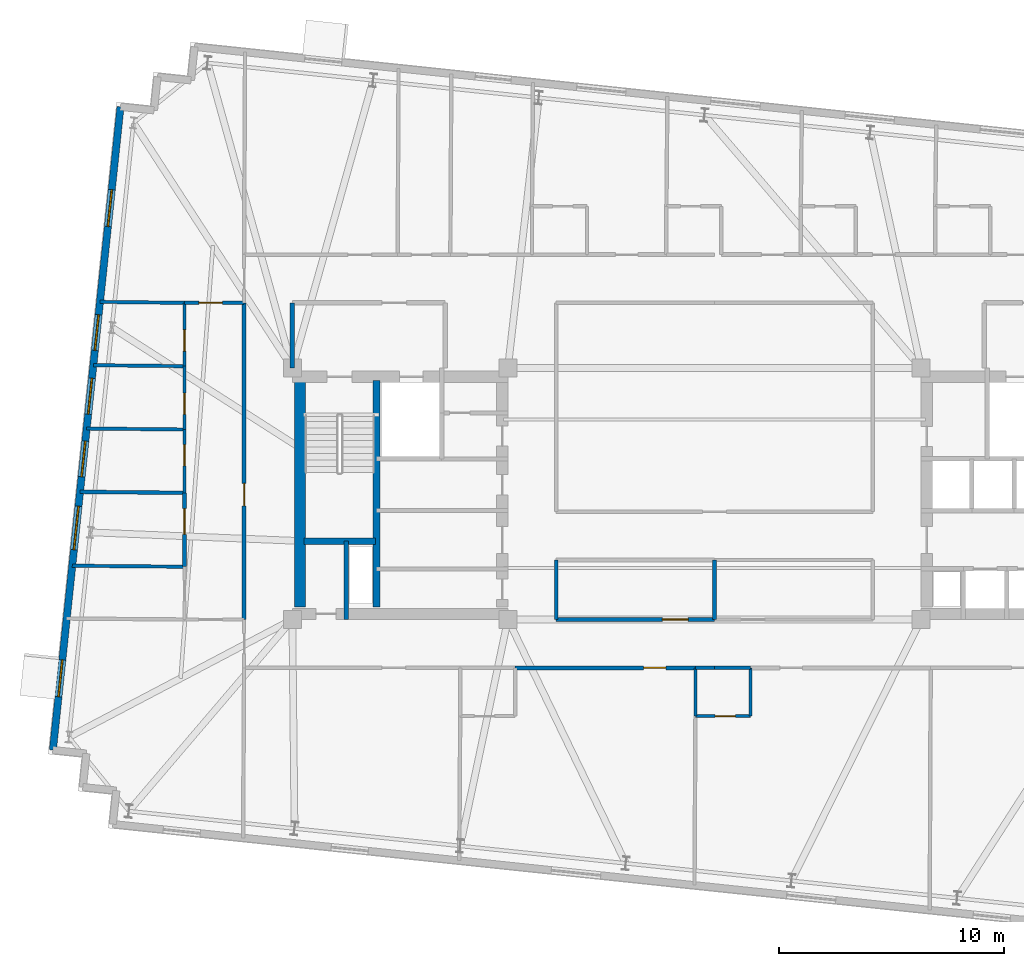
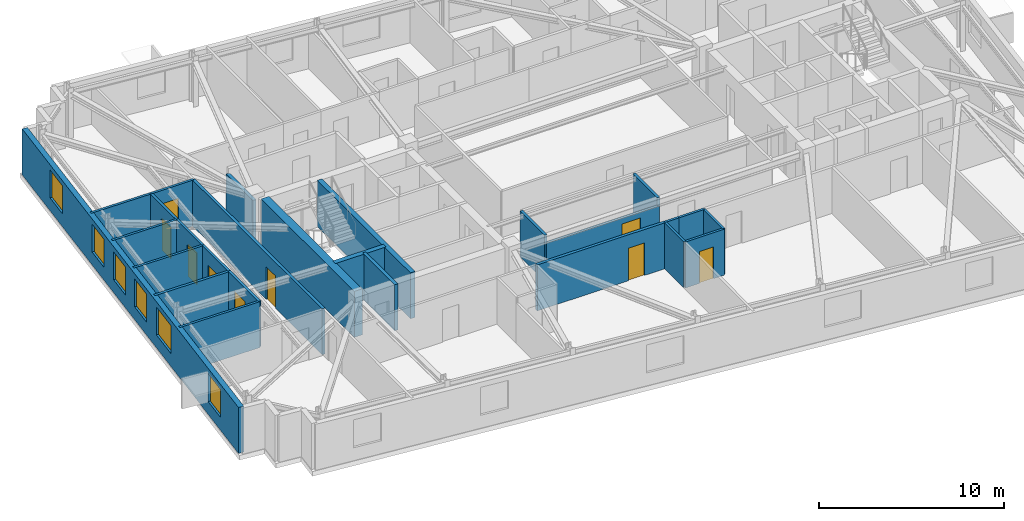
# One storey, part 6 of 12: 26 walls, 9 doors, 6 windows, 15 openings.
"""IFC4 building model written with IfcOpenShell, lengths in metres."""

from ifc_helpers import new_model, si_unit, direction, frame, frame_2d, origin, place, context, subcontext, project, spatial, rectangle, extrude, material, layer, layer_set, type_object, element, fill, save


model = new_model("IFC4")

# Units and contexts
model_context = context("Model", 3, precision=1e-05, world=origin(), true_north=direction((0.0, 1.0)))
body_context = subcontext(model_context, "Body", "Model", "MODEL_VIEW")
ifc_project = project(units=[si_unit("LENGTHUNIT", "METRE"), si_unit("AREAUNIT", "SQUARE_METRE"), si_unit("VOLUMEUNIT", "CUBIC_METRE"), si_unit("PLANEANGLEUNIT", "RADIAN"), si_unit("MASSUNIT", "GRAM", prefix="KILO")], contexts=[model_context])

# Site, building, storey
site_placement = place(None, origin())
site = spatial("IfcSite", under=ifc_project, at=site_placement, CompositionType="ELEMENT")
building_placement = place(site_placement, origin())
building = spatial("IfcBuilding", under=site, at=building_placement, Name="Qobustan Lattice House", CompositionType="ELEMENT")
storey_placement = place(building_placement, frame((0.0, 0.0, 189.699951171875)))
storey = spatial("IfcBuildingStorey", under=building, at=storey_placement, Name="L53", CompositionType="ELEMENT", Elevation=189.699951171875)

# Walls
ifc_material_1 = material(Name="Concrete C50/60", Category="concrete")
ifc_layer_1 = layer(ifc_material_1, 0.5)
ifc_layer_set_1 = layer_set([ifc_layer_1], Name="Concrete C50/60")
wall_type_1 = type_object("IfcWallType", Name="WAL-CORE-500", PredefinedType="SHEAR", material=ifc_layer_set_1)
wall_1_placement = place(storey_placement, frame((-18.4599609375, -5.050048828125, 0.0), z_axis=(0.0, 0.0, 1.0), x_axis=(0.0, 1.0, 0.0)))
element("IfcWall", 1, at=wall_1_placement, inside=storey, type_object=wall_type_1, Name="L53 split-core shear wall CW-W", PredefinedType="SHEAR", context=body_context, shape_type="SweptSolid", body=[
    extrude(rectangle(XDim=10.10009765625, YDim=0.5, at=frame_2d((5.050048828125, 0.0))), origin(), (0.0, 0.0, 1.0), 3.0400390625),
])
ifc_material_2 = material(Name="Concrete C50/60", Category="concrete")
ifc_layer_2 = layer(ifc_material_2, 0.280029296875)
ifc_layer_set_2 = layer_set([ifc_layer_2], Name="Concrete C50/60")
wall_type_2 = type_object("IfcWallType", Name="WAL-CORE-SPINE-280", PredefinedType="SHEAR", material=ifc_layer_set_2)
wall_2_placement = place(storey_placement, frame((-15.050048828125, -5.050048828125, 0.0), z_axis=(0.0, 0.0, 1.0), x_axis=(0.0, 1.0, 0.0)))
element("IfcWall", 2, at=wall_2_placement, inside=storey, type_object=wall_type_2, Name="L53 split-core shear wall CW-M", PredefinedType="SHEAR", context=body_context, shape_type="SweptSolid", body=[
    extrude(rectangle(XDim=10.10009765625, YDim=0.300048828125, at=frame_2d((5.050048828125, 0.0))), origin(), (0.0, 0.0, 1.0), 3.0400390625),
])
wall_3_placement = place(storey_placement, frame((-18.280029296875, -2.110107421875, 0.0), z_axis=(0.0, 0.0, 1.0), x_axis=(1.0, 0.0, 0.0)))
element("IfcWall", 3, at=wall_3_placement, inside=storey, type_object=wall_type_2, Name="L53 split-core shear wall CW-ST", PredefinedType="SHEAR", context=body_context, shape_type="SweptSolid", body=[
    extrude(rectangle(XDim=3.179931640625, YDim=0.300048828125, at=frame_2d((1.58984375, 0.0))), origin(), (0.0, 0.0, 1.0), 3.0400390625),
])

# Wall, openings, windows
ifc_material_3 = material(Name="Precast concrete C40/50", Category="concrete")
ifc_layer_3 = layer(ifc_material_3, 0.320068359375)
ifc_layer_set_3 = layer_set([ifc_layer_3], Name="Precast concrete C40/50")
wall_type_3 = type_object("IfcWallType", Name="WAL-EXT-STONE-320", PredefinedType="SOLIDWALL", material=ifc_layer_set_3)
wall_4_placement = place(storey_placement, frame((-29.46337890625, -11.413818359375, 0.0), z_axis=(0.0, 0.0, 1.0), x_axis=(0.104530779244, 0.994521651947, 0.0)))
wall_4 = element("IfcWall", 4, at=wall_4_placement, inside=storey, type_object=wall_type_3, Name="L53 exterior limestone-clad wall 5", PredefinedType="SOLIDWALL", context=body_context, shape_type="SweptSolid", body=[
    extrude(rectangle(XDim=28.800048828125, YDim=0.320068359375, at=frame_2d((14.39990234375, 0.0))), origin(), (0.0, 0.0, 1.0), 3.0400390625),
])
opening_1_placement = place(wall_4_placement, frame((2.3837890625, 0.0, 0.85009765625)))
opening_1 = element("IfcOpeningElement", 5, at=opening_1_placement, cuts=wall_4, Name="Opening WN-09", PredefinedType="OPENING", context=body_context, shape_type="SweptSolid", body=[
    extrude(rectangle(XDim=1.64990234375, YDim=1.85009765625, at=frame_2d((0.824951171875, 0.925048828125))), frame((0.0, 0.169921875, 0.0), z_axis=(0.0, -1.0, 0.0), x_axis=(1.0, 0.0, 0.0)), (0.0, 0.0, 1.0), 0.340087890625),
])
opening_2_placement = place(wall_4_placement, frame((8.97265625, 0.0, 0.85009765625)))
opening_2 = element("IfcOpeningElement", 6, at=opening_2_placement, cuts=wall_4, Name="Opening WN-08", PredefinedType="OPENING", context=body_context, shape_type="SweptSolid", body=[
    extrude(rectangle(XDim=1.949951171875, YDim=1.85009765625, at=frame_2d((0.97509765625, 0.925048828125))), frame((0.0, 0.169921875, 0.0), z_axis=(0.0, -1.0, 0.0), x_axis=(1.0, 0.0, 0.0)), (0.0, 0.0, 1.0), 0.340087890625),
])
opening_3_placement = place(wall_4_placement, frame((12.236083984375, 0.0, 0.85009765625)))
opening_3 = element("IfcOpeningElement", 7, at=opening_3_placement, cuts=wall_4, Name="Opening WN-13", PredefinedType="OPENING", context=body_context, shape_type="SweptSolid", body=[
    extrude(rectangle(XDim=1.60009765625, YDim=1.85009765625, at=frame_2d((0.800048828125, 0.925048828125))), frame((0.0, 0.169921875, 0.0), z_axis=(0.0, -1.0, 0.0), x_axis=(1.0, 0.0, 0.0)), (0.0, 0.0, 1.0), 0.340087890625),
])
opening_4_placement = place(wall_4_placement, frame((15.0439453125, 0.0, 0.85009765625)))
opening_4 = element("IfcOpeningElement", 8, at=opening_4_placement, cuts=wall_4, Name="Opening WN-13", PredefinedType="OPENING", context=body_context, shape_type="SweptSolid", body=[
    extrude(rectangle(XDim=1.60009765625, YDim=1.85009765625, at=frame_2d((0.800048828125, 0.925048828125))), frame((0.0, 0.169921875, 0.0), z_axis=(0.0, -1.0, 0.0), x_axis=(1.0, 0.0, 0.0)), (0.0, 0.0, 1.0), 0.340087890625),
])
opening_5_placement = place(wall_4_placement, frame((17.891845703125, 0.0, 0.85009765625)))
opening_5 = element("IfcOpeningElement", 9, at=opening_5_placement, cuts=wall_4, Name="Opening WN-13", PredefinedType="OPENING", context=body_context, shape_type="SweptSolid", body=[
    extrude(rectangle(XDim=1.60009765625, YDim=1.85009765625, at=frame_2d((0.800048828125, 0.925048828125))), frame((0.0, 0.169921875, 0.0), z_axis=(0.0, -1.0, 0.0), x_axis=(1.0, 0.0, 0.0)), (0.0, 0.0, 1.0), 0.340087890625),
])
opening_6_placement = place(wall_4_placement, frame((23.4423828125, 0.0, 0.85009765625)))
opening_6 = element("IfcOpeningElement", 10, at=opening_6_placement, cuts=wall_4, Name="Opening WN-09", PredefinedType="OPENING", context=body_context, shape_type="SweptSolid", body=[
    extrude(rectangle(XDim=1.64990234375, YDim=1.85009765625, at=frame_2d((0.824951171875, 0.925048828125))), frame((0.0, 0.169921875, 0.0), z_axis=(0.0, -1.0, 0.0), x_axis=(1.0, 0.0, 0.0)), (0.0, 0.0, 1.0), 0.340087890625),
])
ifc_material_4 = material(Name="Double-glazed low-E aluminium window", Category="aluminium")
window_type_1 = type_object("IfcWindowType", Name="WIN-BED-1600x1850", PartitioningType="SINGLE_PANEL", PredefinedType="WINDOW", material=ifc_material_4)
window_1_placement = place(opening_3_placement, origin())
window_1 = element("IfcWindow", 11, at=window_1_placement, inside=storey, type_object=window_type_1, Name="L53 Cluster bedroom L53W1 window", OverallHeight=1.85009765625, OverallWidth=1.60009765625, PartitioningType="SINGLE_PANEL", PredefinedType="WINDOW", context=body_context, shape_type="SweptSolid", body=[
    extrude(rectangle(XDim=1.60009765625, YDim=1.85009765625, at=frame_2d((0.800048828125, 0.925048828125))), frame((0.0, 0.030029296875, 0.0), z_axis=(0.0, -1.0, 0.0), x_axis=(1.0, 0.0, 0.0)), (0.0, 0.0, 1.0), 0.06005859375),
])
fill(opening_3, window_1)
window_2_placement = place(opening_4_placement, origin())
window_2 = element("IfcWindow", 12, at=window_2_placement, inside=storey, type_object=window_type_1, Name="L53 Cluster bedroom L53W2 window", OverallHeight=1.85009765625, OverallWidth=1.60009765625, PartitioningType="SINGLE_PANEL", PredefinedType="WINDOW", context=body_context, shape_type="SweptSolid", body=[
    extrude(rectangle(XDim=1.60009765625, YDim=1.85009765625, at=frame_2d((0.800048828125, 0.925048828125))), frame((0.0, 0.030029296875, 0.0), z_axis=(0.0, -1.0, 0.0), x_axis=(1.0, 0.0, 0.0)), (0.0, 0.0, 1.0), 0.06005859375),
])
fill(opening_4, window_2)
window_3_placement = place(opening_5_placement, origin())
window_3 = element("IfcWindow", 13, at=window_3_placement, inside=storey, type_object=window_type_1, Name="L53 Cluster bedroom L53W3 window", OverallHeight=1.85009765625, OverallWidth=1.60009765625, PartitioningType="SINGLE_PANEL", PredefinedType="WINDOW", context=body_context, shape_type="SweptSolid", body=[
    extrude(rectangle(XDim=1.60009765625, YDim=1.85009765625, at=frame_2d((0.800048828125, 0.925048828125))), frame((0.0, 0.030029296875, 0.0), z_axis=(0.0, -1.0, 0.0), x_axis=(1.0, 0.0, 0.0)), (0.0, 0.0, 1.0), 0.06005859375),
])
fill(opening_5, window_3)
ifc_material_5 = material(Name="Double-glazed low-E aluminium window", Category="aluminium")
window_type_2 = type_object("IfcWindowType", Name="WIN-KIT-1950x1850", PartitioningType="SINGLE_PANEL", PredefinedType="WINDOW", material=ifc_material_5)
window_4_placement = place(opening_2_placement, origin())
window_4 = element("IfcWindow", 14, at=window_4_placement, inside=storey, type_object=window_type_2, Name="L53 Shared kitchen L53W window", OverallHeight=1.85009765625, OverallWidth=1.949951171875, PartitioningType="SINGLE_PANEL", PredefinedType="WINDOW", context=body_context, shape_type="SweptSolid", body=[
    extrude(rectangle(XDim=1.949951171875, YDim=1.85009765625, at=frame_2d((0.97509765625, 0.925048828125))), frame((0.0, 0.030029296875, 0.0), z_axis=(0.0, -1.0, 0.0), x_axis=(1.0, 0.0, 0.0)), (0.0, 0.0, 1.0), 0.06005859375),
])
fill(opening_2, window_4)
ifc_material_6 = material(Name="Double-glazed low-E aluminium window", Category="aluminium")
window_type_3 = type_object("IfcWindowType", Name="WIN-STU-1650x1850", PartitioningType="SINGLE_PANEL", PredefinedType="WINDOW", material=ifc_material_6)
window_5_placement = place(opening_1_placement, origin())
window_5 = element("IfcWindow", 15, at=window_5_placement, inside=storey, type_object=window_type_3, Name="L53 Reading study room L53WS window", OverallHeight=1.85009765625, OverallWidth=1.64990234375, PartitioningType="SINGLE_PANEL", PredefinedType="WINDOW", context=body_context, shape_type="SweptSolid", body=[
    extrude(rectangle(XDim=1.64990234375, YDim=1.85009765625, at=frame_2d((0.824951171875, 0.925048828125))), frame((0.0, 0.030029296875, 0.0), z_axis=(0.0, -1.0, 0.0), x_axis=(1.0, 0.0, 0.0)), (0.0, 0.0, 1.0), 0.06005859375),
])
fill(opening_1, window_5)
window_6_placement = place(opening_6_placement, origin())
window_6 = element("IfcWindow", 16, at=window_6_placement, inside=storey, type_object=window_type_3, Name="L53 Reading study room L53WN window", OverallHeight=1.85009765625, OverallWidth=1.64990234375, PartitioningType="SINGLE_PANEL", PredefinedType="WINDOW", context=body_context, shape_type="SweptSolid", body=[
    extrude(rectangle(XDim=1.64990234375, YDim=1.85009765625, at=frame_2d((0.824951171875, 0.925048828125))), frame((0.0, 0.030029296875, 0.0), z_axis=(0.0, -1.0, 0.0), x_axis=(1.0, 0.0, 0.0)), (0.0, 0.0, 1.0), 0.06005859375),
])
fill(opening_6, window_6)

# Wall, opening, door
ifc_material_7 = material(Name="Gypsum fireboard acoustic partition", Category="gypsum")
ifc_layer_4 = layer(ifc_material_7, 0.179931640625)
ifc_layer_set_4 = layer_set([ifc_layer_4], Name="Gypsum fireboard acoustic partition")
wall_type_4 = type_object("IfcWallType", Name="WAL-FIRE-180", PredefinedType="PARTITIONING", material=ifc_layer_set_4)
wall_5_placement = place(storey_placement, frame((-0.85009765625, -7.75, 0.0), z_axis=(0.0, 0.0, 1.0), x_axis=(-1.0, 0.0, 0.0)))
wall_5 = element("IfcWall", 17, at=wall_5_placement, inside=storey, type_object=wall_type_4, Name="L53 interior partition 49", PredefinedType="PARTITIONING", context=body_context, shape_type="SweptSolid", body=[
    extrude(rectangle(XDim=8.02490234375, YDim=0.179931640625, at=frame_2d((4.012451171875, 0.0))), origin(), (0.0, 0.0, 1.0), 3.0400390625),
])
opening_7_placement = place(wall_5_placement, frame((1.31298828125, 0.0, 0.0)))
opening_7 = element("IfcOpeningElement", 18, at=opening_7_placement, cuts=wall_5, Name="Opening FD-02", PredefinedType="OPENING", context=body_context, shape_type="SweptSolid", body=[
    extrude(rectangle(XDim=1.0, YDim=2.14990234375, at=frame_2d((0.5, 1.074951171875))), frame((0.0, 0.099853515625, 0.0), z_axis=(0.0, -1.0, 0.0), x_axis=(1.0, 0.0, 0.0)), (0.0, 0.0, 1.0), 0.199951171875),
])
ifc_material_8 = material(Name="Persian walnut timber and steel frame door", Category="steel")
door_type_1 = type_object("IfcDoorType", Name="DOR-UNIT-FD-1000x2150", OperationType="NOTDEFINED", PredefinedType="DOOR", material=ifc_material_8)
door_1_placement = place(opening_7_placement, origin())
door_1 = element("IfcDoor", 19, at=door_1_placement, inside=storey, type_object=door_type_1, Name="L53 South-west floor corridor to Kitchenette and studio apartment L53-S2 door", OperationType="SINGLE_SWING_LEFT", OverallHeight=2.14990234375, OverallWidth=1.0, PredefinedType="DOOR", context=body_context, shape_type="SweptSolid", body=[
    extrude(rectangle(XDim=1.0, YDim=2.14990234375, at=frame_2d((0.5, 1.074951171875))), frame((0.0, 0.02490234375, 0.0), z_axis=(0.0, -1.0, 0.0), x_axis=(1.0, 0.0, 0.0)), (0.0, 0.0, 1.0), 0.050048828125),
])
fill(opening_7, door_1)

wall_6_placement = place(storey_placement, frame((-20.949951171875, -5.60009765625, 0.0), z_axis=(0.0, 0.0, 1.0), x_axis=(0.0, 1.0, 0.0)))
wall_6 = element("IfcWall", 20, at=wall_6_placement, inside=storey, type_object=wall_type_4, Name="L53 interior partition 58", PredefinedType="PARTITIONING", context=body_context, shape_type="SweptSolid", body=[
    extrude(rectangle(XDim=14.10009765625, YDim=0.179931640625, at=frame_2d((7.050048828125, 0.0))), origin(), (0.0, 0.0, 1.0), 3.0400390625),
])
opening_8_placement = place(wall_6_placement, frame((5.0576171875, 0.0, 0.0)))
opening_8 = element("IfcOpeningElement", 21, at=opening_8_placement, cuts=wall_6, Name="Opening FD-02", PredefinedType="OPENING", context=body_context, shape_type="SweptSolid", body=[
    extrude(rectangle(XDim=1.0, YDim=2.14990234375, at=frame_2d((0.5, 1.074951171875))), frame((0.0, 0.099853515625, 0.0), z_axis=(0.0, -1.0, 0.0), x_axis=(1.0, 0.0, 0.0)), (0.0, 0.0, 1.0), 0.199951171875),
])
door_2_placement = place(opening_8_placement, origin())
door_2 = element("IfcDoor", 22, at=door_2_placement, inside=storey, type_object=door_type_1, Name="L53 West wing spine gallery to Residence entrance hall L53W door", OperationType="SINGLE_SWING_LEFT", OverallHeight=2.14990234375, OverallWidth=1.0, PredefinedType="DOOR", context=body_context, shape_type="SweptSolid", body=[
    extrude(rectangle(XDim=1.0, YDim=2.14990234375, at=frame_2d((0.5, 1.074951171875))), frame((0.0, 0.02490234375, 0.0), z_axis=(0.0, -1.0, 0.0), x_axis=(1.0, 0.0, 0.0)), (0.0, 0.0, 1.0), 0.050048828125),
])
fill(opening_8, door_2)

ifc_material_9 = material(Name="Acoustic twin-stud gypsum partition", Category="gypsum")
ifc_layer_5 = layer(ifc_material_9, 0.14990234375)
ifc_layer_set_5 = layer_set([ifc_layer_5], Name="Acoustic twin-stud gypsum partition")
wall_type_5 = type_object("IfcWallType", Name="WAL-PART-150", PredefinedType="PARTITIONING", material=ifc_layer_set_5)
wall_7_placement = place(storey_placement, frame((-23.60009765625, 8.5, 0.0), z_axis=(0.0, 0.0, 1.0), x_axis=(1.0, 0.0, 0.0)))
wall_7 = element("IfcWall", 23, at=wall_7_placement, inside=storey, type_object=wall_type_5, Name="L53 interior partition 67", PredefinedType="PARTITIONING", context=body_context, shape_type="SweptSolid", body=[
    extrude(rectangle(XDim=2.650146484375, YDim=0.14990234375, at=frame_2d((1.3251953125, 0.0))), origin(), (0.0, 0.0, 1.0), 3.0400390625),
])
opening_9_placement = place(wall_7_placement, frame((0.635009765625, 0.0, 0.0)))
opening_9 = element("IfcOpeningElement", 24, at=opening_9_placement, cuts=wall_7, Name="Opening ID-02", PredefinedType="OPENING", context=body_context, shape_type="SweptSolid", body=[
    extrude(rectangle(XDim=1.050048828125, YDim=2.14990234375, at=frame_2d((0.52490234375, 1.074951171875))), frame((0.0, 0.0849609375, 0.0), z_axis=(0.0, -1.0, 0.0), x_axis=(1.0, 0.0, 0.0)), (0.0, 0.0, 1.0), 0.169921875),
])
ifc_material_10 = material(Name="Persian walnut timber and steel frame door", Category="steel")
door_type_2 = type_object("IfcDoorType", Name="DOR-STUDY-1050x2150", OperationType="NOTDEFINED", PredefinedType="DOOR", material=ifc_material_10)
door_3_placement = place(opening_9_placement, origin())
door_3 = element("IfcDoor", 25, at=door_3_placement, inside=storey, type_object=door_type_2, Name="L53 Residence entrance hall L53W to Reading study room L53WN door", OperationType="SINGLE_SWING_RIGHT", OverallHeight=2.14990234375, OverallWidth=1.050048828125, PredefinedType="DOOR", context=body_context, shape_type="SweptSolid", body=[
    extrude(rectangle(XDim=1.050048828125, YDim=2.14990234375, at=frame_2d((0.52490234375, 1.074951171875))), frame((0.0, 0.02490234375, 0.0), z_axis=(0.0, -1.0, 0.0), x_axis=(1.0, 0.0, 0.0)), (0.0, 0.0, 1.0), 0.050048828125),
])
fill(opening_9, door_3)

wall_8_placement = place(storey_placement, frame((-23.60009765625, 0.0400390625, 0.0), z_axis=(0.0, 0.0, 1.0), x_axis=(0.0, 1.0, 0.0)))
wall_8 = element("IfcWall", 26, at=wall_8_placement, inside=storey, type_object=wall_type_5, Name="L53 interior partition 71", PredefinedType="PARTITIONING", context=body_context, shape_type="SweptSolid", body=[
    extrude(rectangle(XDim=2.820068359375, YDim=0.14990234375, at=frame_2d((1.41015625, 0.0))), origin(), (0.0, 0.0, 1.0), 3.0400390625),
])
opening_10_placement = place(wall_8_placement, frame((1.201171875, 0.0, 0.0)))
opening_10 = element("IfcOpeningElement", 27, at=opening_10_placement, cuts=wall_8, Name="Opening ID-01", PredefinedType="OPENING", context=body_context, shape_type="SweptSolid", body=[
    extrude(rectangle(XDim=0.949951171875, YDim=2.10009765625, at=frame_2d((0.47509765625, 1.050048828125))), frame((0.0, 0.0849609375, 0.0), z_axis=(0.0, -1.0, 0.0), x_axis=(1.0, 0.0, 0.0)), (0.0, 0.0, 1.0), 0.169921875),
])
ifc_material_11 = material(Name="Persian walnut timber and steel frame door", Category="steel")
door_type_3 = type_object("IfcDoorType", Name="DOR-ROOM-950x2100", OperationType="NOTDEFINED", PredefinedType="DOOR", material=ifc_material_11)
door_4_placement = place(opening_10_placement, origin())
door_4 = element("IfcDoor", 28, at=door_4_placement, inside=storey, type_object=door_type_3, Name="L53 Residence entrance hall L53W to Cluster bedroom L53W1 door", OperationType="SINGLE_SWING_RIGHT", OverallHeight=2.10009765625, OverallWidth=0.949951171875, PredefinedType="DOOR", context=body_context, shape_type="SweptSolid", body=[
    extrude(rectangle(XDim=0.949951171875, YDim=2.10009765625, at=frame_2d((0.47509765625, 1.050048828125))), frame((0.0, 0.02490234375, 0.0), z_axis=(0.0, -1.0, 0.0), x_axis=(1.0, 0.0, 0.0)), (0.0, 0.0, 1.0), 0.050048828125),
])
fill(opening_10, door_4)

wall_9_placement = place(storey_placement, frame((-23.60009765625, 2.860107421875, 0.0), z_axis=(0.0, 0.0, 1.0), x_axis=(0.0, 1.0, 0.0)))
wall_9 = element("IfcWall", 29, at=wall_9_placement, inside=storey, type_object=wall_type_5, Name="L53 interior partition 72", PredefinedType="PARTITIONING", context=body_context, shape_type="SweptSolid", body=[
    extrude(rectangle(XDim=2.81982421875, YDim=0.14990234375, at=frame_2d((1.409912109375, 0.0))), origin(), (0.0, 0.0, 1.0), 3.0400390625),
])
opening_11_placement = place(wall_9_placement, frame((0.668701171875, 0.0, 0.0)))
opening_11 = element("IfcOpeningElement", 30, at=opening_11_placement, cuts=wall_9, Name="Opening ID-01", PredefinedType="OPENING", context=body_context, shape_type="SweptSolid", body=[
    extrude(rectangle(XDim=0.949951171875, YDim=2.10009765625, at=frame_2d((0.47509765625, 1.050048828125))), frame((0.0, 0.0849609375, 0.0), z_axis=(0.0, -1.0, 0.0), x_axis=(1.0, 0.0, 0.0)), (0.0, 0.0, 1.0), 0.169921875),
])
door_5_placement = place(opening_11_placement, origin())
door_5 = element("IfcDoor", 31, at=door_5_placement, inside=storey, type_object=door_type_3, Name="L53 Residence entrance hall L53W to Cluster bedroom L53W2 door", OperationType="SINGLE_SWING_LEFT", OverallHeight=2.10009765625, OverallWidth=0.949951171875, PredefinedType="DOOR", context=body_context, shape_type="SweptSolid", body=[
    extrude(rectangle(XDim=0.949951171875, YDim=2.10009765625, at=frame_2d((0.47509765625, 1.050048828125))), frame((0.0, 0.02490234375, 0.0), z_axis=(0.0, -1.0, 0.0), x_axis=(1.0, 0.0, 0.0)), (0.0, 0.0, 1.0), 0.050048828125),
])
fill(opening_11, door_5)

wall_10_placement = place(storey_placement, frame((-23.60009765625, 5.679931640625, 0.0), z_axis=(0.0, 0.0, 1.0), x_axis=(0.0, 1.0, 0.0)))
wall_10 = element("IfcWall", 32, at=wall_10_placement, inside=storey, type_object=wall_type_5, Name="L53 interior partition 73", PredefinedType="PARTITIONING", context=body_context, shape_type="SweptSolid", body=[
    extrude(rectangle(XDim=2.820068359375, YDim=0.14990234375, at=frame_2d((1.41015625, 0.0))), origin(), (0.0, 0.0, 1.0), 3.0400390625),
])
opening_12_placement = place(wall_10_placement, frame((0.668701171875, 0.0, 0.0)))
opening_12 = element("IfcOpeningElement", 33, at=opening_12_placement, cuts=wall_10, Name="Opening ID-01", PredefinedType="OPENING", context=body_context, shape_type="SweptSolid", body=[
    extrude(rectangle(XDim=0.949951171875, YDim=2.10009765625, at=frame_2d((0.47509765625, 1.050048828125))), frame((0.0, 0.0849609375, 0.0), z_axis=(0.0, -1.0, 0.0), x_axis=(1.0, 0.0, 0.0)), (0.0, 0.0, 1.0), 0.169921875),
])
door_6_placement = place(opening_12_placement, origin())
door_6 = element("IfcDoor", 34, at=door_6_placement, inside=storey, type_object=door_type_3, Name="L53 Residence entrance hall L53W to Cluster bedroom L53W3 door", OperationType="SINGLE_SWING_RIGHT", OverallHeight=2.10009765625, OverallWidth=0.949951171875, PredefinedType="DOOR", context=body_context, shape_type="SweptSolid", body=[
    extrude(rectangle(XDim=0.949951171875, YDim=2.10009765625, at=frame_2d((0.47509765625, 1.050048828125))), frame((0.0, 0.02490234375, 0.0), z_axis=(0.0, -1.0, 0.0), x_axis=(1.0, 0.0, 0.0)), (0.0, 0.0, 1.0), 0.050048828125),
])
fill(opening_12, door_6)

# Walls
wall_11_placement = place(storey_placement, frame((-23.60009765625, 8.5, 0.0), z_axis=(0.0, 0.0, 1.0), x_axis=(-0.999931911052, 0.011669329875, 0.0)))
element("IfcWall", 35, at=wall_11_placement, inside=storey, type_object=wall_type_5, Name="L53 interior partition 74", PredefinedType="PARTITIONING", context=body_context, shape_type="SweptSolid", body=[
    extrude(rectangle(XDim=3.765869140625, YDim=0.14990234375, at=frame_2d((1.8828125, 0.0))), origin(), (0.0, 0.0, 1.0), 3.0400390625),
])
wall_12_placement = place(storey_placement, frame((-27.95849609375, 2.90380859375, 0.0), z_axis=(0.0, 0.0, 1.0), x_axis=(0.999949734551, -0.010026383738, 0.0)))
element("IfcWall", 36, at=wall_12_placement, inside=storey, type_object=wall_type_5, Name="L53 interior partition 80", PredefinedType="PARTITIONING", context=body_context, shape_type="SweptSolid", body=[
    extrude(rectangle(XDim=4.358642578125, YDim=0.14990234375, at=frame_2d((2.17919921875, 0.0))), origin(), (0.0, 0.0, 1.0), 3.0400390625),
])
wall_13_placement = place(storey_placement, frame((-27.662109375, 5.723876953125, 0.0), z_axis=(0.0, 0.0, 1.0), x_axis=(0.999941483997, -0.010817974944, 0.0)))
element("IfcWall", 37, at=wall_13_placement, inside=storey, type_object=wall_type_5, Name="L53 interior partition 81", PredefinedType="PARTITIONING", context=body_context, shape_type="SweptSolid", body=[
    extrude(rectangle(XDim=4.062255859375, YDim=0.14990234375, at=frame_2d((2.03125, 0.0))), origin(), (0.0, 0.0, 1.0), 3.0400390625),
])

# Wall, opening, door
ifc_material_12 = material(Name="High-mass acoustic twin-stud partition", Category="gypsum")
ifc_layer_6 = layer(ifc_material_12, 0.1650390625)
ifc_layer_set_6 = layer_set([ifc_layer_6], Name="High-mass acoustic twin-stud partition")
wall_type_6 = type_object("IfcWallType", Name="WAL-PART-165", PredefinedType="PARTITIONING", material=ifc_layer_set_6)
wall_14_placement = place(storey_placement, frame((-7.050048828125, -5.60009765625, 0.0), z_axis=(0.0, 0.0, 1.0), x_axis=(1.0, 0.0, 0.0)))
wall_14 = element("IfcWall", 38, at=wall_14_placement, inside=storey, type_object=wall_type_6, Name="L53 interior partition 52", PredefinedType="PARTITIONING", context=body_context, shape_type="SweptSolid", body=[
    extrude(rectangle(XDim=7.050048828125, YDim=0.1650390625, at=frame_2d((3.52490234375, 0.0))), origin(), (0.0, 0.0, 1.0), 2.525146484375),
])
opening_13_placement = place(wall_14_placement, frame((4.7275390625, 0.0, 0.0)))
opening_13 = element("IfcOpeningElement", 39, at=opening_13_placement, cuts=wall_14, Name="Opening ID-03", PredefinedType="OPENING", context=body_context, shape_type="SweptSolid", body=[
    extrude(rectangle(XDim=1.14990234375, YDim=2.14990234375, at=frame_2d((0.574951171875, 1.074951171875))), frame((0.0, 0.092529296875, 0.0), z_axis=(0.0, -1.0, 0.0), x_axis=(1.0, 0.0, 0.0)), (0.0, 0.0, 1.0), 0.18505859375),
])
ifc_material_13 = material(Name="Persian walnut timber and steel frame door", Category="steel")
door_type_4 = type_object("IfcDoorType", Name="DOR-KITCH-1150x2150", OperationType="NOTDEFINED", PredefinedType="DOOR", material=ifc_material_13)
door_7_placement = place(opening_13_placement, origin())
door_7 = element("IfcDoor", 40, at=door_7_placement, inside=storey, type_object=door_type_4, Name="L53 South-west floor corridor to Shared dining kitchen door", OperationType="SINGLE_SWING_RIGHT", OverallHeight=2.14990234375, OverallWidth=1.14990234375, PredefinedType="DOOR", context=body_context, shape_type="SweptSolid", body=[
    extrude(rectangle(XDim=1.14990234375, YDim=2.14990234375, at=frame_2d((0.574951171875, 1.074951171875))), frame((0.0, 0.02490234375, 0.0), z_axis=(0.0, -1.0, 0.0), x_axis=(1.0, 0.0, 0.0)), (0.0, 0.0, 1.0), 0.050048828125),
])
fill(opening_13, door_7)

# Wall
wall_15_placement = place(storey_placement, frame((-7.050048828125, -2.949951171875, 0.0), z_axis=(0.0, 0.0, 1.0), x_axis=(0.0, -1.0, 0.0)))
element("IfcWall", 41, at=wall_15_placement, inside=storey, type_object=wall_type_6, Name="L53 interior partition 64", PredefinedType="PARTITIONING", context=body_context, shape_type="SweptSolid", body=[
    extrude(rectangle(XDim=2.650146484375, YDim=0.1650390625, at=frame_2d((1.3251953125, 0.0))), origin(), (0.0, 0.0, 1.0), 3.0400390625),
])

# Wall, opening, door
wall_16_placement = place(storey_placement, frame((-23.60009765625, -3.25, 0.0), z_axis=(0.0, 0.0, 1.0), x_axis=(0.0, 1.0, 0.0)))
wall_16 = element("IfcWall", 42, at=wall_16_placement, inside=storey, type_object=wall_type_6, Name="L53 interior partition 70", PredefinedType="PARTITIONING", context=body_context, shape_type="SweptSolid", body=[
    extrude(rectangle(XDim=3.2900390625, YDim=0.1650390625, at=frame_2d((1.64501953125, 0.0))), origin(), (0.0, 0.0, 1.0), 3.0400390625),
])
opening_14_placement = place(wall_16_placement, frame((1.4375, 0.0, 0.0)))
opening_14 = element("IfcOpeningElement", 43, at=opening_14_placement, cuts=wall_16, Name="Opening ID-03", PredefinedType="OPENING", context=body_context, shape_type="SweptSolid", body=[
    extrude(rectangle(XDim=1.14990234375, YDim=2.14990234375, at=frame_2d((0.574951171875, 1.074951171875))), frame((0.0, 0.092529296875, 0.0), z_axis=(0.0, -1.0, 0.0), x_axis=(1.0, 0.0, 0.0)), (0.0, 0.0, 1.0), 0.18505859375),
])
door_8_placement = place(opening_14_placement, origin())
door_8 = element("IfcDoor", 44, at=door_8_placement, inside=storey, type_object=door_type_4, Name="L53 Residence entrance hall L53W to Shared kitchen L53W door", OperationType="SINGLE_SWING_LEFT", OverallHeight=2.14990234375, OverallWidth=1.14990234375, PredefinedType="DOOR", context=body_context, shape_type="SweptSolid", body=[
    extrude(rectangle(XDim=1.14990234375, YDim=2.14990234375, at=frame_2d((0.574951171875, 1.074951171875))), frame((0.0, 0.02490234375, 0.0), z_axis=(0.0, -1.0, 0.0), x_axis=(1.0, 0.0, 0.0)), (0.0, 0.0, 1.0), 0.050048828125),
])
fill(opening_14, door_8)

# Walls
wall_17_placement = place(storey_placement, frame((-28.2548828125, 0.083984375, 0.0), z_axis=(0.0, 0.0, 1.0), x_axis=(0.999955437781, -0.009440468835, 0.0)))
element("IfcWall", 45, at=wall_17_placement, inside=storey, type_object=wall_type_6, Name="L53 interior partition 79", PredefinedType="PARTITIONING", context=body_context, shape_type="SweptSolid", body=[
    extrude(rectangle(XDim=4.655029296875, YDim=0.1650390625, at=frame_2d((2.32763671875, 0.0))), origin(), (0.0, 0.0, 1.0), 3.0400390625),
])
wall_18_placement = place(storey_placement, frame((0.0, -2.949951171875, 0.0), z_axis=(0.0, 0.0, 1.0), x_axis=(0.0, -1.0, 0.0)))
element("IfcWall", 46, at=wall_18_placement, inside=storey, type_object=wall_type_6, Name="L53 interior partition 111", PredefinedType="PARTITIONING", context=body_context, shape_type="SweptSolid", body=[
    extrude(rectangle(XDim=2.650146484375, YDim=0.1650390625, at=frame_2d((1.3251953125, 0.0))), origin(), (0.0, 0.0, 1.0), 3.0400390625),
])
ifc_material_14 = material(Name="Two-hour gypsum fireboard acoustic partition", Category="gypsum")
ifc_layer_7 = layer(ifc_material_14, 0.199951171875)
ifc_layer_set_7 = layer_set([ifc_layer_7], Name="Two-hour gypsum fireboard acoustic partition")
wall_type_7 = type_object("IfcWallType", Name="WAL-PROT-200", PredefinedType="PARTITIONING", material=ifc_layer_set_7)
wall_19_placement = place(storey_placement, frame((-18.800048828125, 8.5, 0.0), z_axis=(0.0, 0.0, 1.0), x_axis=(0.0, -1.0, 0.0)))
element("IfcWall", 47, at=wall_19_placement, inside=storey, type_object=wall_type_7, Name="L53 interior partition 5", PredefinedType="PARTITIONING", context=body_context, shape_type="SweptSolid", body=[
    extrude(rectangle(XDim=2.89990234375, YDim=0.199951171875, at=frame_2d((1.449951171875, 0.0))), origin(), (0.0, 0.0, 1.0), 2.6650390625),
])
ifc_material_15 = material(Name="Concrete C40/50", Category="concrete")
ifc_layer_8 = layer(ifc_material_15, 0.199951171875)
ifc_layer_set_8 = layer_set([ifc_layer_8], Name="Concrete C40/50")
wall_type_8 = type_object("IfcWallType", Name="WAL-SHAFT-200", PredefinedType="PARTITIONING", material=ifc_layer_set_8)
wall_20_placement = place(storey_placement, frame((-16.39990234375, -5.60009765625, 0.0), z_axis=(0.0, 0.0, 1.0), x_axis=(0.0, 1.0, 0.0)))
element("IfcWall", 48, at=wall_20_placement, inside=storey, type_object=wall_type_8, Name="L53 interior partition 1", PredefinedType="PARTITIONING", context=body_context, shape_type="SweptSolid", body=[
    extrude(rectangle(XDim=3.489990234375, YDim=0.199951171875, at=frame_2d((1.7451171875, 0.0))), origin(), (0.0, 0.0, 1.0), 3.0400390625),
])
ifc_material_16 = material(Name="Moisture-resistant acoustic plumbing wall", Category="gypsum")
ifc_layer_9 = layer(ifc_material_16, 0.14990234375)
ifc_layer_set_9 = layer_set([ifc_layer_9], Name="Moisture-resistant acoustic plumbing wall")
wall_type_9 = type_object("IfcWallType", Name="WAL-WET-150", PredefinedType="PLUMBINGWALL", material=ifc_layer_set_9)
wall_21_placement = place(storey_placement, frame((0.0, -7.75, 0.0), z_axis=(0.0, 0.0, 1.0), x_axis=(-1.0, 0.0, 0.0)))
element("IfcWall", 49, at=wall_21_placement, inside=storey, type_object=wall_type_9, Name="L53 interior partition 51", PredefinedType="PLUMBINGWALL", context=body_context, shape_type="SweptSolid", body=[
    extrude(rectangle(XDim=0.85009765625, YDim=0.14990234375, at=frame_2d((0.425048828125, 0.0))), origin(), (0.0, 0.0, 1.0), 3.0400390625),
])
wall_22_placement = place(storey_placement, frame((1.60009765625, -7.75, 0.0), z_axis=(0.0, 0.0, 1.0), x_axis=(-1.0, 0.0, 0.0)))
element("IfcWall", 50, at=wall_22_placement, inside=storey, type_object=wall_type_9, Name="L53 interior partition 54", PredefinedType="PLUMBINGWALL", context=body_context, shape_type="SweptSolid", body=[
    extrude(rectangle(XDim=1.60009765625, YDim=0.14990234375, at=frame_2d((0.800048828125, 0.0))), origin(), (0.0, 0.0, 1.0), 3.0400390625),
])
wall_23_placement = place(storey_placement, frame((-28.6005859375, -3.2060546875, 0.0), z_axis=(0.0, 0.0, 1.0), x_axis=(0.999961385969, -0.008787864929, 0.0)))
element("IfcWall", 51, at=wall_23_placement, inside=storey, type_object=wall_type_9, Name="L53 interior partition 78", PredefinedType="PLUMBINGWALL", context=body_context, shape_type="SweptSolid", body=[
    extrude(rectangle(XDim=5.000732421875, YDim=0.14990234375, at=frame_2d((2.50048828125, 0.0))), origin(), (0.0, 0.0, 1.0), 3.0400390625),
])
wall_24_placement = place(storey_placement, frame((-0.85009765625, -7.75, 0.0), z_axis=(0.0, 0.0, 1.0), x_axis=(0.0, -1.0, 0.0)))
element("IfcWall", 52, at=wall_24_placement, inside=storey, type_object=wall_type_9, Name="L53 interior partition 106", PredefinedType="PLUMBINGWALL", context=body_context, shape_type="SweptSolid", body=[
    extrude(rectangle(XDim=2.14990234375, YDim=0.14990234375, at=frame_2d((1.074951171875, 0.0))), origin(), (0.0, 0.0, 1.0), 3.0400390625),
])

# Wall, opening, door
wall_25_placement = place(storey_placement, frame((-0.85009765625, -9.89990234375, 0.0), z_axis=(0.0, 0.0, 1.0), x_axis=(1.0, 0.0, 0.0)))
wall_25 = element("IfcWall", 53, at=wall_25_placement, inside=storey, type_object=wall_type_9, Name="L53 interior partition 107", PredefinedType="PLUMBINGWALL", context=body_context, shape_type="SweptSolid", body=[
    extrude(rectangle(XDim=2.4501953125, YDim=0.14990234375, at=frame_2d((1.22509765625, 0.0))), origin(), (0.0, 0.0, 1.0), 3.0400390625),
])
opening_15_placement = place(wall_25_placement, frame((0.87255859375, 0.0, 0.0)))
opening_15 = element("IfcOpeningElement", 54, at=opening_15_placement, cuts=wall_25, Name="Opening WD-01", PredefinedType="OPENING", context=body_context, shape_type="SweptSolid", body=[
    extrude(rectangle(XDim=0.89990234375, YDim=2.10009765625, at=frame_2d((0.449951171875, 1.050048828125))), frame((0.0, 0.0849609375, 0.0), z_axis=(0.0, -1.0, 0.0), x_axis=(1.0, 0.0, 0.0)), (0.0, 0.0, 1.0), 0.169921875),
])
ifc_material_17 = material(Name="Persian walnut timber and steel frame door", Category="steel")
door_type_5 = type_object("IfcDoorType", Name="DOR-WET-900x2100", OperationType="NOTDEFINED", PredefinedType="DOOR", material=ifc_material_17)
door_9_placement = place(opening_15_placement, origin())
door_9 = element("IfcDoor", 55, at=door_9_placement, inside=storey, type_object=door_type_5, Name="L53 Kitchenette and studio apartment L53-S3 to En-suite bathroom L53-S3 door", OperationType="SINGLE_SWING_RIGHT", OverallHeight=2.10009765625, OverallWidth=0.89990234375, PredefinedType="DOOR", context=body_context, shape_type="SweptSolid", body=[
    extrude(rectangle(XDim=0.89990234375, YDim=2.10009765625, at=frame_2d((0.449951171875, 1.050048828125))), frame((0.0, 0.02490234375, 0.0), z_axis=(0.0, -1.0, 0.0), x_axis=(1.0, 0.0, 0.0)), (0.0, 0.0, 1.0), 0.050048828125),
])
fill(opening_15, door_9)

# Wall
wall_26_placement = place(storey_placement, frame((1.60009765625, -9.89990234375, 0.0), z_axis=(0.0, 0.0, 1.0), x_axis=(0.0, 1.0, 0.0)))
element("IfcWall", 56, at=wall_26_placement, inside=storey, type_object=wall_type_9, Name="L53 interior partition 108", PredefinedType="PLUMBINGWALL", context=body_context, shape_type="SweptSolid", body=[
    extrude(rectangle(XDim=2.14990234375, YDim=0.14990234375, at=frame_2d((1.074951171875, 0.0))), origin(), (0.0, 0.0, 1.0), 3.0400390625),
])

save(model, "model.ifc")
